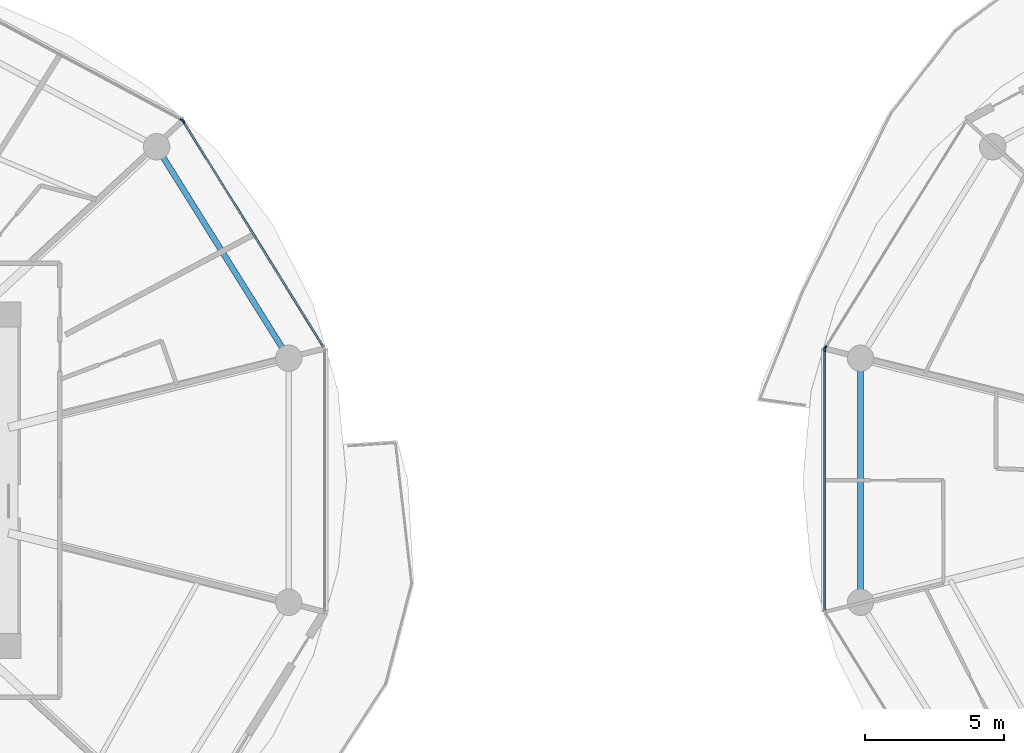
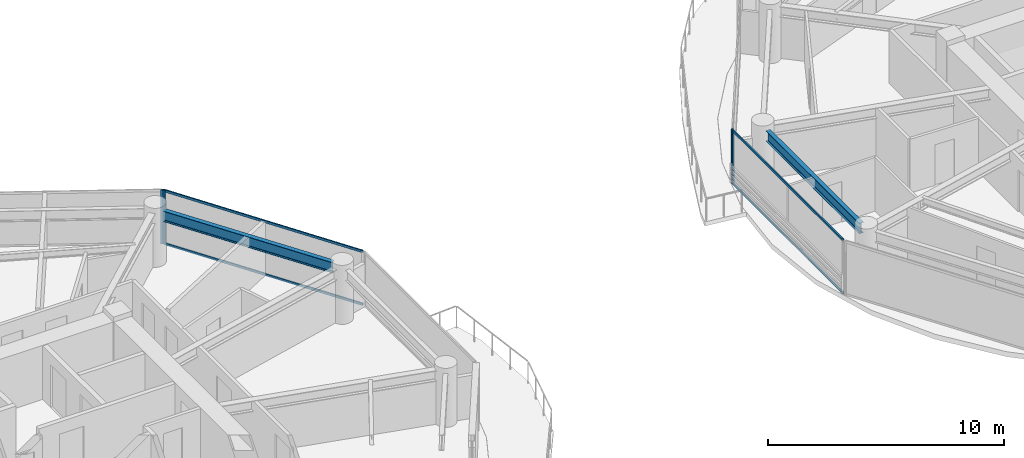
# One storey, part 7 of 26: 8 members, 2 beams, 4 elements without a shape of their own.
"""IFC4 building model written with IfcOpenShell, lengths in metres."""

from ifc_helpers import new_model, si_unit, direction, frame, origin, origin_2d, place, context, subcontext, project, spatial, rectangle, i_section, extrude, source, transform, mapped, material, layer, layer_set, material_profile, profile_set, type_object, type_shapes, element, aggregate, save


model = new_model("IFC4")

# Units and contexts
model_context = context("Model", 3, precision=1e-05, world=origin(), true_north=direction((0.0, 1.0)))
body_context = subcontext(model_context, "Body", "Model", "MODEL_VIEW")
ifc_project = project(units=[si_unit("LENGTHUNIT", "METRE"), si_unit("AREAUNIT", "SQUARE_METRE"), si_unit("VOLUMEUNIT", "CUBIC_METRE"), si_unit("PLANEANGLEUNIT", "RADIAN"), si_unit("MASSUNIT", "GRAM", prefix="KILO")], contexts=[model_context])

# Site, building, storey
site_placement = place(None, origin())
site = spatial("IfcSite", under=ifc_project, at=site_placement, CompositionType="ELEMENT")
building_placement = place(site_placement, origin())
building = spatial("IfcBuilding", under=site, at=building_placement, Name="Norrkilde Senior Care Towers", CompositionType="ELEMENT")
storey_placement = place(building_placement, frame((0.0, 0.0, 64.300048828125)))
storey = spatial("IfcBuildingStorey", under=building, at=storey_placement, Name="L19", CompositionType="ELEMENT", Elevation=64.300048828125)

# Beams
ifc_material_1 = material(Name="Steel S355", Category="steel")
ifc_material_profile_1 = material_profile(ifc_material_1, i_section(OverallWidth=0.2099609375, OverallDepth=0.550048828125, WebThickness=0.010986328125, FlangeThickness=0.01708984375, FilletRadius=0.02392578125, at=origin_2d()), Name="IPE 550")
ifc_profile_set_1 = profile_set([ifc_material_profile_1], Name="Steel S355")
beam_type = type_object("IfcBeamType", Name="Perimeter Ring Spandrel Z1 IPE550", PredefinedType="SPANDREL", material=ifc_profile_set_1)
shared_shape_1 = source(origin(), body_context, "Body", "SweptSolid", [
    extrude(i_section(OverallWidth=0.2099609375, OverallDepth=0.550048828125, WebThickness=0.010986328125, FlangeThickness=0.01708984375, FilletRadius=0.02392578125, at=origin_2d()), origin(), (0.0, 0.0, 1.0), 8.090576171875),
])
beam_1_placement = place(storey_placement, frame((-10.505859375, 4.755859375, 2.514892578125), z_axis=(-0.530004364821, 0.84799491347, 0.0), x_axis=(-0.84799491347, -0.530004364821, 0.0)))
element("IfcBeam", 1, at=beam_1_placement, inside=storey, type_object=beam_type, Name="L19 Drum W Perimeter Spandrel 01", PredefinedType="SPANDREL", context=body_context, shape_type="MappedRepresentation", body=[
    mapped(shared_shape_1, transform((0.0, 0.0, 0.0), x_axis=(1.0, 0.0, 0.0), y_axis=(0.0, 1.0, 0.0), z_axis=(0.0, 0.0, 1.0), scale=1.0)),
])
shared_shape_2 = source(origin(), body_context, "Body", "SweptSolid", [
    extrude(i_section(OverallWidth=0.2099609375, OverallDepth=0.550048828125, WebThickness=0.010986328125, FlangeThickness=0.01708984375, FilletRadius=0.02392578125, at=origin_2d()), origin(), (0.0, 0.0, 1.0), 7.90380859375),
])
type_shapes(beam_type, [shared_shape_1, shared_shape_2])
beam_2_placement = place(storey_placement, frame((10.275146484375, 3.951904296875, 2.514892578125), z_axis=(0.0, -1.0, 0.0), x_axis=(1.0, 0.0, 0.0)))
element("IfcBeam", 2, at=beam_2_placement, inside=storey, type_object=beam_type, Name="L19 Drum E Perimeter Spandrel 06", PredefinedType="SPANDREL", context=body_context, shape_type="MappedRepresentation", body=[
    mapped(shared_shape_2, transform((0.0, 0.0, 0.0), x_axis=(1.0, 0.0, 0.0), y_axis=(0.0, 1.0, 0.0), z_axis=(0.0, 0.0, 1.0), scale=1.0)),
])

# Curtain wall, member
ifc_material_2 = material(Name="Triple Low-E Insulated Glazing", Category="glass")
ifc_layer = layer(ifc_material_2, 0.199951171875)
ifc_layer_set = layer_set([ifc_layer], Name="Triple Low-E Insulated Glazing")
curtain_wall_type = type_object("IfcCurtainWallType", Name="CW2 Zone 1 Memory Care Curtain Wall", PredefinedType="NOTDEFINED", material=ifc_layer_set)
curtain_wall_1_placement = place(storey_placement, origin())
curtain_wall_1 = element("IfcCurtainWall", 3, at=curtain_wall_1_placement, inside=storey, type_object=curtain_wall_type, Name="L19 Drum W Curtain Wall 00", PredefinedType="NOTDEFINED")
ifc_material_3 = material(Name="Anodised Aluminium", Category="aluminium")
ifc_material_profile_2 = material_profile(ifc_material_3, rectangle(XDim=0.06494140625, YDim=0.159912109375, at=origin_2d()), Name="ALU MULL 65x160")
ifc_profile_set_2 = profile_set([ifc_material_profile_2], Name="Anodised Aluminium")
member_type_1 = type_object("IfcMemberType", Name="Curtain Wall Mullion Z1-Z2 65x160", PredefinedType="MULLION", material=ifc_profile_set_2)
shared_shape_3 = source(origin(), body_context, "Body", "SweptSolid", [
    extrude(rectangle(XDim=0.06494140625, YDim=0.159912109375, at=origin_2d()), origin(), (0.0, 0.0, 1.0), 2.7900390625),
])
type_shapes(member_type_1, [shared_shape_3])
member_1_placement = place(storey_placement, frame((-14.06689453125, 12.898193359375, 0.0), z_axis=(0.0, 0.0, 1.0), x_axis=(0.849305943117, 0.527900951871, 0.0)))
member_1 = element("IfcMember", 4, at=member_1_placement, type_object=member_type_1, Name="CW-2 mullion 1", PredefinedType="MULLION", context=body_context, shape_type="MappedRepresentation", body=[
    mapped(shared_shape_3, transform((0.0, 0.0, 0.0), x_axis=(1.0, 0.0, 0.0), y_axis=(0.0, 1.0, 0.0), z_axis=(0.0, 0.0, 1.0), scale=1.0)),
])

curtain_wall_2_placement = place(storey_placement, origin())
curtain_wall_2 = element("IfcCurtainWall", 5, at=curtain_wall_2_placement, inside=storey, type_object=curtain_wall_type, Name="L19 Drum W Curtain Wall 01", PredefinedType="NOTDEFINED")
member_2_placement = place(storey_placement, frame((-14.11279296875, 12.941162109375, 0.0), z_axis=(0.0, 0.0, 1.0), x_axis=(0.472607802456, 0.881272866403, 0.0)))
member_2 = element("IfcMember", 6, at=member_2_placement, type_object=member_type_1, Name="CW-2 mullion 2", PredefinedType="MULLION", context=body_context, shape_type="MappedRepresentation", body=[
    mapped(shared_shape_3, transform((0.0, 0.0, 0.0), x_axis=(1.0, 0.0, 0.0), y_axis=(0.0, 1.0, 0.0), z_axis=(0.0, 0.0, 1.0), scale=1.0)),
])
aggregate(curtain_wall_2, [member_2])

curtain_wall_3_placement = place(storey_placement, origin())
curtain_wall_3 = element("IfcCurtainWall", 7, at=curtain_wall_3_placement, inside=storey, type_object=curtain_wall_type, Name="L19 Drum E Curtain Wall 04", PredefinedType="NOTDEFINED")
member_3_placement = place(storey_placement, frame((9.0078125, 4.7587890625, 0.0), z_axis=(0.0, 0.0, 1.0), x_axis=(-0.849305943117, 0.527900951871, 0.0)))
member_3 = element("IfcMember", 8, at=member_3_placement, type_object=member_type_1, Name="CW-2 mullion 1", PredefinedType="MULLION", context=body_context, shape_type="MappedRepresentation", body=[
    mapped(shared_shape_3, transform((0.0, 0.0, 0.0), x_axis=(1.0, 0.0, 0.0), y_axis=(0.0, 1.0, 0.0), z_axis=(0.0, 0.0, 1.0), scale=1.0)),
])
aggregate(curtain_wall_3, [member_3])

curtain_wall_4_placement = place(storey_placement, origin())
curtain_wall_4 = element("IfcCurtainWall", 9, at=curtain_wall_4_placement, inside=storey, type_object=curtain_wall_type, Name="L19 Drum E Curtain Wall 05", PredefinedType="NOTDEFINED")
member_4_placement = place(storey_placement, frame((8.990478515625, 4.69873046875, 0.0), z_axis=(0.0, 0.0, 1.0), x_axis=(-1.0, 0.0, 0.0)))
member_4 = element("IfcMember", 10, at=member_4_placement, type_object=member_type_1, Name="CW-2 mullion 2", PredefinedType="MULLION", context=body_context, shape_type="MappedRepresentation", body=[
    mapped(shared_shape_3, transform((0.0, 0.0, 0.0), x_axis=(1.0, 0.0, 0.0), y_axis=(0.0, 1.0, 0.0), z_axis=(0.0, 0.0, 1.0), scale=1.0)),
])

# Member
ifc_material_profile_3 = material_profile(ifc_material_3, rectangle(XDim=0.06005859375, YDim=0.1201171875, at=origin_2d()), Name="ALU TRAN 60x120")
ifc_profile_set_3 = profile_set([ifc_material_profile_3], Name="Anodised Aluminium")
member_type_2 = type_object("IfcMemberType", Name="Curtain Wall Transom Typical 60x120", PredefinedType="USERDEFINED", material=ifc_profile_set_3)
shared_shape_4 = source(origin(), body_context, "Body", "SweptSolid", [
    extrude(rectangle(XDim=0.06005859375, YDim=0.1201171875, at=origin_2d()), origin(), (0.0, 0.0, 1.0), 9.5185546875),
])
member_5_placement = place(storey_placement, frame((-14.0498046875, 12.87060546875, 0.030029296875), z_axis=(0.527901620669, -0.849305527413, 0.0), x_axis=(0.849305527413, 0.527901620669, 0.0)))
member_5 = element("IfcMember", 11, at=member_5_placement, type_object=member_type_2, Name="CW-2 transom 1.1", ObjectType="TRANSOM", PredefinedType="USERDEFINED", context=body_context, shape_type="MappedRepresentation", body=[
    mapped(shared_shape_4, transform((0.0, 0.0, 0.0), x_axis=(1.0, 0.0, 0.0), y_axis=(0.0, 1.0, 0.0), z_axis=(0.0, 0.0, 1.0), scale=1.0)),
])

member_6_placement = place(storey_placement, frame((-14.0498046875, 12.87060546875, 2.760009765625), z_axis=(0.527901620669, -0.849305527413, 0.0), x_axis=(0.849305527413, 0.527901620669, 0.0)))
member_6 = element("IfcMember", 12, at=member_6_placement, type_object=member_type_2, Name="CW-2 transom 1.2", ObjectType="TRANSOM", PredefinedType="USERDEFINED", context=body_context, shape_type="MappedRepresentation", body=[
    mapped(shared_shape_4, transform((0.0, 0.0, 0.0), x_axis=(1.0, 0.0, 0.0), y_axis=(0.0, 1.0, 0.0), z_axis=(0.0, 0.0, 1.0), scale=1.0)),
])

aggregate(curtain_wall_1, [member_1, member_5, member_6])

shared_shape_5 = source(origin(), body_context, "Body", "SweptSolid", [
    extrude(rectangle(XDim=0.06005859375, YDim=0.1201171875, at=origin_2d()), origin(), (0.0, 0.0, 1.0), 9.33251953125),
])
type_shapes(member_type_2, [shared_shape_4, shared_shape_5])
member_7_placement = place(storey_placement, frame((8.990478515625, -4.666259765625, 0.030029296875), z_axis=(0.0, 1.0, 0.0), x_axis=(-1.0, 0.0, 0.0)))
member_7 = element("IfcMember", 13, at=member_7_placement, type_object=member_type_2, Name="CW-2 transom 1.1", ObjectType="TRANSOM", PredefinedType="USERDEFINED", context=body_context, shape_type="MappedRepresentation", body=[
    mapped(shared_shape_5, transform((0.0, 0.0, 0.0), x_axis=(1.0, 0.0, 0.0), y_axis=(0.0, 1.0, 0.0), z_axis=(0.0, 0.0, 1.0), scale=1.0)),
])

member_8_placement = place(storey_placement, frame((8.990478515625, -4.666259765625, 2.760009765625), z_axis=(0.0, 1.0, 0.0), x_axis=(-1.0, 0.0, 0.0)))
member_8 = element("IfcMember", 14, at=member_8_placement, type_object=member_type_2, Name="CW-2 transom 1.2", ObjectType="TRANSOM", PredefinedType="USERDEFINED", context=body_context, shape_type="MappedRepresentation", body=[
    mapped(shared_shape_5, transform((0.0, 0.0, 0.0), x_axis=(1.0, 0.0, 0.0), y_axis=(0.0, 1.0, 0.0), z_axis=(0.0, 0.0, 1.0), scale=1.0)),
])

aggregate(curtain_wall_4, [member_4, member_7, member_8])

save(model, "model.ifc")
